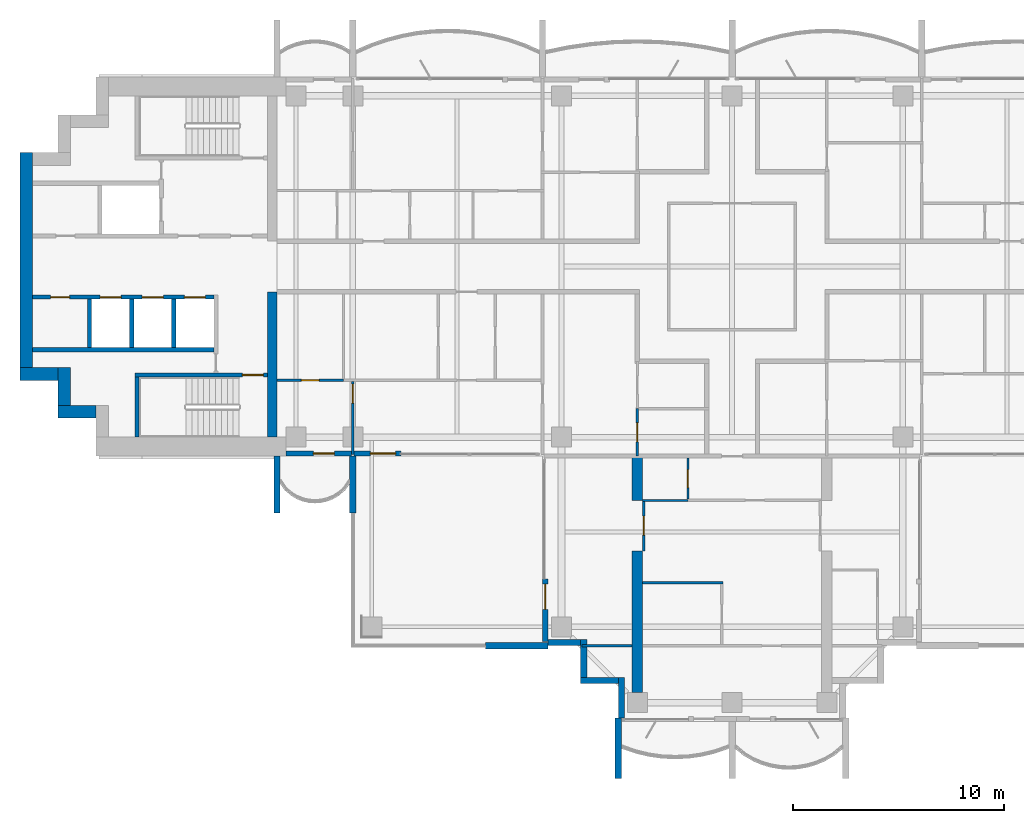
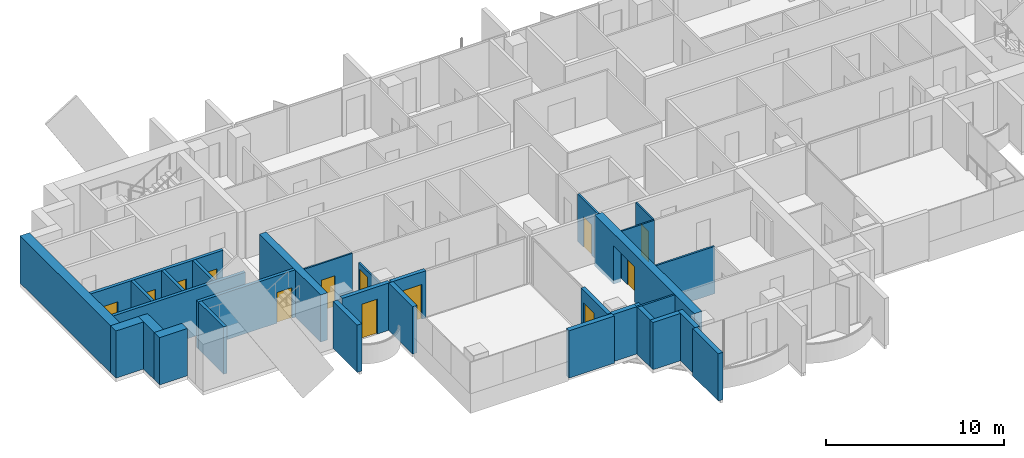
# One storey, part 8 of 17: 32 walls, 13 doors, 13 openings.
"""IFC4 building model written with IfcOpenShell, lengths in metres."""

import ifcopenshell
import ifcopenshell.guid

model = None  # the IFC model being written
_history = None  # IfcOwnerHistory: only IFC2X3 demands one
_inside = {}  # id of a spatial element -> (the spatial element, [elements in it])
_under = {}  # id of a project, library or spatial element -> (it, [spatial elements below it])
_declared = {}  # id of a project -> (the project, [libraries it declares])
_typed = {}  # id of a type object -> (the type object, [elements of that type])
_made_of = {}  # id of a material, layer set ... -> (it, [elements and type objects made of it])


def new_model(schema):
    """Start an empty IFC model of exactly this schema.

    Asked for "IFC4X3", IfcOpenShell would pick the latest addendum, in which some entities
    have other attributes; the version numbers below select the first issue.
    IFC2X3 requires an IfcOwnerHistory on every rooted entity: one is made here for all.
    """
    global model, _history
    if schema == "IFC4X3":
        model = ifcopenshell.file(schema_version=(4, 3, 0, 0))
    else:
        model = ifcopenshell.file(schema=schema)
    _inside.clear()
    _under.clear()
    _declared.clear()
    _typed.clear()
    _made_of.clear()
    _history = None
    if model.schema == "IFC2X3":
        org = make("IfcOrganization", Name="unknown")
        user = make(
            "IfcPersonAndOrganization",
            ThePerson=make("IfcPerson", FamilyName="unknown"),
            TheOrganization=org,
        )
        app = make(
            "IfcApplication",
            ApplicationDeveloper=org,
            Version="unknown",
            ApplicationFullName="unknown",
            ApplicationIdentifier="unknown",
        )
        _history = make(
            "IfcOwnerHistory",
            OwningUser=user,
            OwningApplication=app,
            ChangeAction="ADDED",
            CreationDate=0,
        )
    return model


def make(cls, **values):
    """One entity of the class cls with the attributes given. An attribute that is None is left unset."""
    return model.create_entity(
        cls, **{name: value for name, value in values.items() if value is not None}
    )


def rooted(cls, **values):
    """An entity with a GlobalId (a new one), such as an element, a storey or a relation."""
    return make(cls, GlobalId=ifcopenshell.guid.new(), OwnerHistory=_history, **values)


def si_unit(unit_type, name, prefix=None):
    """IfcSIUnit, for example si_unit("LENGTHUNIT", "METRE", prefix="MILLI")."""
    return make("IfcSIUnit", UnitType=unit_type, Prefix=prefix, Name=name)


def assignment(units):
    """IfcUnitAssignment: the units of a project."""
    return None if units is None else make("IfcUnitAssignment", Units=units)


def point(xyz):
    """IfcCartesianPoint."""
    return None if xyz is None else make("IfcCartesianPoint", Coordinates=xyz)


def direction(xyz):
    """IfcDirection."""
    return None if xyz is None else make("IfcDirection", DirectionRatios=xyz)


def frame(location, z_axis=None, x_axis=None):
    """IfcAxis2Placement3D, a coordinate frame: its origin and axes. An axis left out is left unset."""
    return make(
        "IfcAxis2Placement3D",
        Location=point(location),
        Axis=direction(z_axis),
        RefDirection=direction(x_axis),
    )


def frame_2d(location, x_axis=None):
    """IfcAxis2Placement2D, a coordinate frame in the plane: its origin and x axis."""
    return make(
        "IfcAxis2Placement2D", Location=point(location), RefDirection=direction(x_axis)
    )


def origin():
    """The frame at (0, 0, 0) with its axes left unset."""
    return frame((0.0, 0.0, 0.0))


def place(relative_to, where):
    """IfcLocalPlacement: puts the frame where relative to a parent placement (None: the world)."""
    return make(
        "IfcLocalPlacement", PlacementRelTo=relative_to, RelativePlacement=where
    )


def context(
    kind, dimensions, precision=None, world=None, true_north=None, identifier=None
):
    """IfcGeometricRepresentationContext, for example the 3D "Model" context."""
    return make(
        "IfcGeometricRepresentationContext",
        ContextIdentifier=identifier,
        ContextType=kind,
        CoordinateSpaceDimension=dimensions,
        Precision=precision,
        WorldCoordinateSystem=world,
        TrueNorth=true_north,
    )


def subcontext(parent, identifier, kind, view, scale=None):
    """IfcGeometricRepresentationSubContext, for example "Body" below "Model"."""
    return make(
        "IfcGeometricRepresentationSubContext",
        ContextIdentifier=identifier,
        ContextType=kind,
        ParentContext=parent,
        TargetScale=scale,
        TargetView=view,
    )


def project(units=None, contexts=None):
    """IfcProject with its units and contexts."""
    return rooted(
        "IfcProject",
        Name="project",
        RepresentationContexts=contexts,
        UnitsInContext=assignment(units),
    )


def spatial(cls, under=None, at=None, **own):
    """A site, building, storey or space (cls), placed at a placement, below another one or the project."""
    s = rooted(cls, ObjectPlacement=at, **own)
    if under is not None:
        _under.setdefault(under.id(), (under, []))[1].append(s)
    return s


def polyline(points):
    """IfcPolyline through the points."""
    return make("IfcPolyline", Points=[point(p) for p in points])


def profile(cls, at=None, kind="AREA", **sizes):
    """A parametric profile (cls). Its sizes go by their IFC names, for example OverallWidth=200.0."""
    return make(cls, ProfileType=kind, Position=at, **sizes)


def rectangle(**sizes):
    """IfcRectangleProfileDef."""
    return profile("IfcRectangleProfileDef", **sizes)


def outline(outer, holes=None, kind="AREA"):
    """IfcArbitraryClosedProfileDef: a profile drawn as a closed curve; with holes, ...WithVoids."""
    if holes is None:
        return make("IfcArbitraryClosedProfileDef", ProfileType=kind, OuterCurve=outer)
    return make(
        "IfcArbitraryProfileDefWithVoids",
        ProfileType=kind,
        OuterCurve=outer,
        InnerCurves=holes,
    )


def extrude(swept, where, along, depth):
    """IfcExtrudedAreaSolid: the profile swept, set in the frame where, extruded along a direction by depth."""
    return make(
        "IfcExtrudedAreaSolid",
        SweptArea=swept,
        Position=where,
        ExtrudedDirection=direction(along),
        Depth=depth,
    )


def shape(context_of_items, identifier, shape_type, items):
    """IfcShapeRepresentation: the items that make up one representation, for example the "Body"."""
    return make(
        "IfcShapeRepresentation",
        ContextOfItems=context_of_items,
        RepresentationIdentifier=identifier,
        RepresentationType=shape_type,
        Items=items,
    )


def material(Name=None, Category=None):
    """IfcMaterial."""
    return make("IfcMaterial", Name=Name, Category=Category)


def layer(
    of_material, thickness, ventilated=None, Name=None, Category=None, Priority=None
):
    """IfcMaterialLayer: one layer of a wall or slab, of a material (None: an air gap)."""
    return make(
        "IfcMaterialLayer",
        Material=of_material,
        LayerThickness=thickness,
        IsVentilated=ventilated,
        Name=Name,
        Category=Category,
        Priority=Priority,
    )


def layer_set(layers, Name=None):
    """IfcMaterialLayerSet."""
    return make("IfcMaterialLayerSet", MaterialLayers=layers, LayerSetName=Name)


def material_profile(
    of_material, cross_section, Name=None, Category=None, Priority=None
):
    """IfcMaterialProfile: a cross section and its material."""
    return make(
        "IfcMaterialProfile",
        Name=Name,
        Material=of_material,
        Profile=cross_section,
        Priority=Priority,
        Category=Category,
    )


def profile_set(profiles, Name=None, composite=None):
    """IfcMaterialProfileSet."""
    return make(
        "IfcMaterialProfileSet",
        Name=Name,
        MaterialProfiles=profiles,
        CompositeProfile=composite,
    )


def made_of(thing, what):
    """Note that an element or type object is made of a material, layer set ...; save() writes the relation."""
    if what is not None:
        _made_of.setdefault(what.id(), (what, []))[1].append(thing)
    return thing


def type_object(cls, material=None, **own):
    """A type object (cls), such as IfcWallType, which elements share."""
    return made_of(rooted(cls, **own), material)


def element(
    cls,
    number,
    at=None,
    inside=None,
    cuts=None,
    type_object=None,
    material=None,
    context=None,
    identifier="Body",
    shape_type=None,
    held_by="IfcProductDefinitionShape",
    body=None,
    shapes=None,
    **own,
):
    """One element of the class cls, such as IfcWall. Its Tag is "e" and its number.

    at: its placement. inside: the storey or other place that contains it. cuts: it is an
    opening in that element (IfcRelVoidsElement). A single representation is given by context,
    identifier, shape_type and body (its items); several are given by shapes. held_by: the class
    of the entity that holds the representations. save() writes the other relations.
    """
    e = rooted(cls, Tag="e%d" % number, ObjectPlacement=at, **own)
    if body is not None:
        shapes = [shape(context, identifier, shape_type, body)]
    if shapes is not None:
        e.Representation = make(held_by, Representations=shapes)
    if inside is not None:
        _inside.setdefault(inside.id(), (inside, []))[1].append(e)
    if cuts is not None:
        rooted(
            "IfcRelVoidsElement", RelatingBuildingElement=cuts, RelatedOpeningElement=e
        )
    if type_object is not None:
        _typed.setdefault(type_object.id(), (type_object, []))[1].append(e)
    return made_of(e, material)


def fill(opening, filler):
    """IfcRelFillsElement: the door or window that sits in an opening."""
    return rooted(
        "IfcRelFillsElement",
        RelatingOpeningElement=opening,
        RelatedBuildingElement=filler,
    )


def aggregate(whole, parts):
    """IfcRelAggregates: a whole, such as a stair, and the parts it consists of."""
    return rooted("IfcRelAggregates", RelatingObject=whole, RelatedObjects=parts)


def save(model, path):
    """Write the relations noted so far, then the file.

    IfcRelAggregates (storeys below a building ...), IfcRelContainedInSpatialStructure (elements
    in a storey), IfcRelDefinesByType, IfcRelAssociatesMaterial and IfcRelDeclares: one each for
    every whole, place, type object, material and project.
    """
    for whole, parts in _under.values():
        aggregate(whole, parts)
    for where, things in _inside.values():
        rooted(
            "IfcRelContainedInSpatialStructure",
            RelatedElements=things,
            RelatingStructure=where,
        )
    for kind, things in _typed.values():
        rooted("IfcRelDefinesByType", RelatedObjects=things, RelatingType=kind)
    for what, things in _made_of.values():
        rooted("IfcRelAssociatesMaterial", RelatedObjects=things, RelatingMaterial=what)
    for by, libraries in _declared.values():
        rooted("IfcRelDeclares", RelatingContext=by, RelatedDefinitions=libraries)
    model.write(path)


model = new_model("IFC4")

# Units and contexts
model_context = context("Model", 3, precision=1e-05, world=origin(), true_north=direction((0.0, 1.0)))
body_context = subcontext(model_context, "Body", "Model", "MODEL_VIEW")
ifc_project = project(units=[si_unit("LENGTHUNIT", "METRE"), si_unit("AREAUNIT", "SQUARE_METRE"), si_unit("VOLUMEUNIT", "CUBIC_METRE"), si_unit("PLANEANGLEUNIT", "RADIAN"), si_unit("MASSUNIT", "GRAM", prefix="KILO")], contexts=[model_context])

# Site, building, storey
site_placement = place(None, origin())
site = spatial("IfcSite", under=ifc_project, at=site_placement, CompositionType="ELEMENT")
building_placement = place(site_placement, origin())
building = spatial("IfcBuilding", under=site, at=building_placement, Name="Perihelion Cross Residences", CompositionType="ELEMENT")
storey_placement = place(building_placement, frame((0.0, 0.0, 208.60009765625)))
storey = spatial("IfcBuildingStorey", under=building, at=storey_placement, Name="L52", CompositionType="ELEMENT", Elevation=208.60009765625)

# Wall, opening, door
ifc_material_1 = material(Name="Concrete C30/37, bronze-clad", Category="concrete")
ifc_layer_1 = layer(ifc_material_1, 0.25)
ifc_layer_set_1 = layer_set([ifc_layer_1], Name="Bronze-clad pier wall 250")
wall_type_1 = type_object("IfcWallType", Name="Bronze-clad pier wall 250", PredefinedType="SOLIDWALL", material=ifc_layer_set_1)
wall_1_placement = place(storey_placement, frame((-21.175048828125, -8.875, 0.0), z_axis=(0.0, 0.0, 1.0), x_axis=(1.0, 0.0, 0.0)))
wall_1 = element("IfcWall", 1, at=wall_1_placement, inside=storey, type_object=wall_type_1, Name="Wall FW1 L52 west side south bay 1 pier", PredefinedType="SOLIDWALL", context=body_context, shape_type="SweptSolid", body=[
    extrude(rectangle(XDim=3.114990234375, YDim=0.25, at=frame_2d((1.5576171875, 0.0))), origin(), (0.0, 0.0, 1.0), 3.25),
])
opening_1_placement = place(wall_1_placement, frame((1.300048828125, 0.0, 0.0)))
opening_1 = element("IfcOpeningElement", 2, at=opening_1_placement, cuts=wall_1, Name="Opening L52.E07", PredefinedType="OPENING", context=body_context, shape_type="SweptSolid", body=[
    extrude(rectangle(XDim=1.0, YDim=2.39990234375, at=frame_2d((0.5, 1.199951171875))), frame((0.0, 0.135009765625, 0.0), z_axis=(0.0, -1.0, 0.0), x_axis=(1.0, 0.0, 0.0)), (0.0, 0.0, 1.0), 0.27001953125),
])
ifc_material_2 = material(Name="Bronze anodised aluminium, glazed", Category="aluminium")
door_type_1 = type_object("IfcDoorType", Name="Balcony door 1000 x 2400", OperationType="NOTDEFINED", PredefinedType="DOOR", material=ifc_material_2)
door_1_placement = place(opening_1_placement, origin())
door_1 = element("IfcDoor", 3, at=door_1_placement, inside=storey, type_object=door_type_1, Name="Door L52.E07 west side south bay 1", OperationType="SINGLE_SWING_LEFT", OverallHeight=2.39990234375, OverallWidth=1.0, PredefinedType="DOOR", context=body_context, shape_type="SweptSolid", body=[
    extrude(rectangle(XDim=1.0, YDim=2.39990234375, at=frame_2d((0.5, 1.199951171875))), frame((0.0, 0.02490234375, 0.0), z_axis=(0.0, -1.0, 0.0), x_axis=(1.0, 0.0, 0.0)), (0.0, 0.0, 1.0), 0.050048828125),
])
fill(opening_1, door_1)

wall_2_placement = place(storey_placement, frame((-17.93994140625, -8.875, 0.0), z_axis=(0.0, 0.0, 1.0), x_axis=(1.0, 0.0, 0.0)))
wall_2 = element("IfcWall", 4, at=wall_2_placement, inside=storey, type_object=wall_type_1, Name="Wall FW1 L52 west side south bay 2 pier", PredefinedType="SOLIDWALL", context=body_context, shape_type="SweptSolid", body=[
    extrude(rectangle(XDim=2.21484375, YDim=0.25, at=frame_2d((1.107421875, 0.0))), origin(), (0.0, 0.0, 1.0), 3.25),
])
opening_2_placement = place(wall_2_placement, frame((0.764892578125, 0.0, 0.0)))
opening_2 = element("IfcOpeningElement", 5, at=opening_2_placement, cuts=wall_2, Name="Opening L52.E08", PredefinedType="OPENING", context=body_context, shape_type="SweptSolid", body=[
    extrude(rectangle(XDim=1.199951171875, YDim=2.39990234375, at=frame_2d((0.60009765625, 1.199951171875))), frame((0.0, 0.135009765625, 0.0), z_axis=(0.0, -1.0, 0.0), x_axis=(1.0, 0.0, 0.0)), (0.0, 0.0, 1.0), 0.27001953125),
])
ifc_material_3 = material(Name="Bronze anodised aluminium, glazed", Category="aluminium")
door_type_2 = type_object("IfcDoorType", Name="Balcony door 1200 x 2400", OperationType="NOTDEFINED", PredefinedType="DOOR", material=ifc_material_3)
door_2_placement = place(opening_2_placement, origin())
door_2 = element("IfcDoor", 6, at=door_2_placement, inside=storey, type_object=door_type_2, Name="Door L52.E08 west side south bay 2", OperationType="SINGLE_SWING_RIGHT", OverallHeight=2.39990234375, OverallWidth=1.199951171875, PredefinedType="DOOR", context=body_context, shape_type="SweptSolid", body=[
    extrude(rectangle(XDim=1.199951171875, YDim=2.39990234375, at=frame_2d((0.60009765625, 1.199951171875))), frame((0.0, 0.02490234375, 0.0), z_axis=(0.0, -1.0, 0.0), x_axis=(1.0, 0.0, 0.0)), (0.0, 0.0, 1.0), 0.050048828125),
])
fill(opening_2, door_2)

wall_3_placement = place(storey_placement, frame((-8.875, -14.824951171875, 0.0), z_axis=(0.0, 0.0, 1.0), x_axis=(0.0, -1.0, 0.0)))
wall_3 = element("IfcWall", 7, at=wall_3_placement, inside=storey, type_object=wall_type_1, Name="Wall FW1 L52 south side west bay 1 pier", PredefinedType="SOLIDWALL", context=body_context, shape_type="SweptSolid", body=[
    extrude(rectangle(XDim=2.97509765625, YDim=0.25, at=frame_2d((1.487548828125, 0.0))), origin(), (0.0, 0.0, 1.0), 3.25),
])
opening_3_placement = place(wall_3_placement, frame((0.25, 0.0, 0.0)))
opening_3 = element("IfcOpeningElement", 8, at=opening_3_placement, cuts=wall_3, Name="Opening L52.E09", PredefinedType="OPENING", context=body_context, shape_type="SweptSolid", body=[
    extrude(rectangle(XDim=1.199951171875, YDim=2.39990234375, at=frame_2d((0.60009765625, 1.199951171875))), frame((0.0, 0.135009765625, 0.0), z_axis=(0.0, -1.0, 0.0), x_axis=(1.0, 0.0, 0.0)), (0.0, 0.0, 1.0), 0.27001953125),
])
door_3_placement = place(opening_3_placement, origin())
door_3 = element("IfcDoor", 9, at=door_3_placement, inside=storey, type_object=door_type_2, Name="Door L52.E09 south side west bay 1", OperationType="SINGLE_SWING_LEFT", OverallHeight=2.39990234375, OverallWidth=1.199951171875, PredefinedType="DOOR", context=body_context, shape_type="SweptSolid", body=[
    extrude(rectangle(XDim=1.199951171875, YDim=2.39990234375, at=frame_2d((0.60009765625, 1.199951171875))), frame((0.0, 0.02490234375, 0.0), z_axis=(0.0, -1.0, 0.0), x_axis=(1.0, 0.0, 0.0)), (0.0, 0.0, 1.0), 0.050048828125),
])
fill(opening_3, door_3)

# Walls
ifc_material_4 = material(Name="Concrete C30/37, bronze-clad", Category="concrete")
ifc_layer_2 = layer(ifc_material_4, 0.300048828125)
ifc_layer_set_2 = layer_set([ifc_layer_2], Name="Bronze-clad serration wall 300")
wall_type_2 = type_object("IfcWallType", Name="Bronze-clad serration wall 300", PredefinedType="SOLIDWALL", material=ifc_layer_set_2)
wall_4_placement = place(storey_placement, frame((-8.75, -17.85009765625, 0.0), z_axis=(0.0, 0.0, 1.0), x_axis=(1.0, 0.0, 0.0)))
element("IfcWall", 10, at=wall_4_placement, inside=storey, type_object=wall_type_2, Name="Wall SR1 L52 south corner south-west 1", PredefinedType="SOLIDWALL", context=body_context, shape_type="SweptSolid", body=[
    extrude(rectangle(XDim=1.550048828125, YDim=0.300048828125, at=frame_2d((0.77490234375, 0.0))), origin(), (0.0, 0.0, 1.0), 3.25),
])
for number, where, z_axis, x_axis, name in (
    (11, (-7.050048828125, -17.699951171875, 0.0), (0.0, 0.0, 1.0), (0.0, -1.0, 0.0), "Wall SR1 L52 south corner south-west 2"),
    (12, (-7.199951171875, -19.64990234375, 0.0), (0.0, 0.0, 1.0), (1.0, 0.0, 0.0), "Wall SR1 L52 south corner south-west 3"),
):
    element("IfcWall", number, at=place(storey_placement, frame(where, z_axis=z_axis, x_axis=x_axis)), inside=storey, type_object=wall_type_2, Name=name, PredefinedType="SOLIDWALL", context=body_context, shape_type="SweptSolid", body=[
        extrude(rectangle(XDim=1.800048828125, YDim=0.300048828125, at=frame_2d((0.89990234375, 0.0))), origin(), (0.0, 0.0, 1.0), 3.25),
    ])
wall_5_placement = place(storey_placement, frame((-5.25, -19.5, 0.0), z_axis=(0.0, 0.0, 1.0), x_axis=(0.0, -1.0, 0.0)))
element("IfcWall", 13, at=wall_5_placement, inside=storey, type_object=wall_type_2, Name="Wall SR1 L52 south corner south-west 4", PredefinedType="SOLIDWALL", context=body_context, shape_type="SweptSolid", body=[
    extrude(rectangle(XDim=1.919921875, YDim=0.300048828125, at=frame_2d((0.9599609375, 0.0))), origin(), (0.0, 0.0, 1.0), 3.25),
])
ifc_material_5 = material(Name="Concrete C60/75", Category="concrete")
ifc_layer_3 = layer(ifc_material_5, 0.449951171875)
ifc_layer_set_3 = layer_set([ifc_layer_3], Name="Core wall, inner 450")
wall_type_3 = type_object("IfcWallType", Name="Core wall, inner 450", PredefinedType="SHEAR", material=ifc_layer_set_3)
wall_6_placement = place(storey_placement, frame((-21.824951171875, -8.10009765625, 0.0), z_axis=(0.0, 0.0, 1.0), x_axis=(0.0, 1.0, 0.0)))
element("IfcWall", 14, at=wall_6_placement, inside=storey, type_object=wall_type_3, Name="West core core wall, inner", PredefinedType="SHEAR", context=body_context, shape_type="SweptSolid", body=[
    extrude(rectangle(XDim=6.900146484375, YDim=0.449951171875, at=frame_2d((3.4501953125, 0.0))), origin(), (0.0, 0.0, 1.0), 3.25),
])
ifc_material_6 = material(Name="Concrete C60/75", Category="concrete")
ifc_layer_4 = layer(ifc_material_6, 0.60009765625)
ifc_layer_set_4 = layer_set([ifc_layer_4], Name="Core wall, outer 600")
wall_type_4 = type_object("IfcWallType", Name="Core wall, outer 600", PredefinedType="SHEAR", material=ifc_layer_set_4)
for number, where, z_axis, x_axis, name in (
    (15, (-32.0, -6.89990234375, 0.0), (0.0, 0.0, 1.0), (1.0, 0.0, 0.0), "West core core wall, outer"),
    (16, (-31.699951171875, -6.60009765625, 0.0), (0.0, 0.0, 1.0), (0.0, 1.0, 0.0), "West core core wall, outer"),
    (17, (-33.800048828125, -5.10009765625, 0.0), (0.0, 0.0, 1.0), (1.0, 0.0, 0.0), "West core core wall, outer"),
):
    element("IfcWall", number, at=place(storey_placement, frame(where, z_axis=z_axis, x_axis=x_axis)), inside=storey, type_object=wall_type_4, Name=name, PredefinedType="SHEAR", context=body_context, shape_type="SweptSolid", body=[
        extrude(rectangle(XDim=1.800048828125, YDim=0.60009765625, at=frame_2d((0.89990234375, 0.0))), origin(), (0.0, 0.0, 1.0), 3.25),
    ])
wall_7_placement = place(storey_placement, frame((-33.5, -4.800048828125, 0.0), z_axis=(0.0, 0.0, 1.0), x_axis=(0.0, 1.0, 0.0)))
element("IfcWall", 18, at=wall_7_placement, inside=storey, type_object=wall_type_4, Name="West core core wall, outer", PredefinedType="SHEAR", context=body_context, shape_type="SweptSolid", body=[
    extrude(rectangle(XDim=10.199951171875, YDim=0.60009765625, at=frame_2d((5.10009765625, 0.0))), origin(), (0.0, 0.0, 1.0), 3.25),
])

# Wall, opening, door
ifc_material_7 = material(Name="Plasterboard partition")
ifc_layer_5 = layer(ifc_material_7, 0.1201171875)
ifc_layer_set_5 = layer_set([ifc_layer_5], Name="Infill panel 120")
wall_type_5 = type_object("IfcWallType", Name="Infill panel 120", PredefinedType="PARTITIONING", material=ifc_layer_set_5)
wall_8_placement = place(storey_placement, frame((-4.18994140625, -11.10009765625, 0.0), z_axis=(0.0, 0.0, 1.0), x_axis=(0.0, -1.0, 0.0)))
wall_8 = element("IfcWall", 19, at=wall_8_placement, inside=storey, type_object=wall_type_5, Name="Partition L52 WI02", PredefinedType="PARTITIONING", context=body_context, shape_type="SweptSolid", body=[
    extrude(rectangle(XDim=2.39990234375, YDim=0.1201171875, at=frame_2d((1.199951171875, 0.0))), origin(), (0.0, 0.0, 1.0), 2.39990234375),
])
opening_4_placement = place(wall_8_placement, frame((0.75, 0.0, 0.0)))
opening_4 = element("IfcOpeningElement", 20, at=opening_4_placement, cuts=wall_8, Name="Opening L52.A46", PredefinedType="OPENING", context=body_context, shape_type="SweptSolid", body=[
    extrude(rectangle(XDim=0.89990234375, YDim=2.10009765625, at=frame_2d((0.449951171875, 1.050048828125))), frame((0.0, 0.070068359375, 0.0), z_axis=(0.0, -1.0, 0.0), x_axis=(1.0, 0.0, 0.0)), (0.0, 0.0, 1.0), 0.14013671875),
])
ifc_material_8 = material(Name="Timber door leaf", Category="wood")
door_type_3 = type_object("IfcDoorType", Name="Interior room door 900 x 2100", OperationType="SINGLE_SWING_LEFT", PredefinedType="DOOR", material=ifc_material_8)
door_4_placement = place(opening_4_placement, origin())
door_4 = element("IfcDoor", 21, at=door_4_placement, inside=storey, type_object=door_type_3, Name="Door L52.A46", OperationType="SINGLE_SWING_RIGHT", OverallHeight=2.10009765625, OverallWidth=0.89990234375, PredefinedType="DOOR", context=body_context, shape_type="SweptSolid", body=[
    extrude(rectangle(XDim=0.89990234375, YDim=2.10009765625, at=frame_2d((0.449951171875, 1.050048828125))), frame((0.0, 0.02490234375, 0.0), z_axis=(0.0, -1.0, 0.0), x_axis=(1.0, 0.0, 0.0)), (0.0, 0.0, 1.0), 0.050048828125),
])
fill(opening_4, door_4)

ifc_material_9 = material(Name="Plasterboard partition")
ifc_layer_6 = layer(ifc_material_9, 0.1201171875)
ifc_layer_set_6 = layer_set([ifc_layer_6], Name="Partition wall 120")
wall_type_6 = type_object("IfcWallType", Name="Partition wall 120", PredefinedType="PARTITIONING", material=ifc_layer_set_6)
wall_9_placement = place(storey_placement, frame((-18.0, -8.919921875, 0.0), z_axis=(0.0, 0.0, 1.0), x_axis=(0.0, 1.0, 0.0)))
wall_9 = element("IfcWall", 22, at=wall_9_placement, inside=storey, type_object=wall_type_6, Name="Partition L52 W059", PredefinedType="PARTITIONING", context=body_context, shape_type="SweptSolid", body=[
    extrude(rectangle(XDim=3.4599609375, YDim=0.1201171875, at=frame_2d((1.72998046875, 0.0))), origin(), (0.0, 0.0, 1.0), 2.47998046875),
])
opening_5_placement = place(wall_9_placement, frame((2.43994140625, 0.0, 0.0)))
opening_5 = element("IfcOpeningElement", 23, at=opening_5_placement, cuts=wall_9, Name="Opening L52.A31", PredefinedType="OPENING", context=body_context, shape_type="SweptSolid", body=[
    extrude(rectangle(XDim=0.89990234375, YDim=2.10009765625, at=frame_2d((0.449951171875, 1.050048828125))), frame((0.0, 0.070068359375, 0.0), z_axis=(0.0, -1.0, 0.0), x_axis=(1.0, 0.0, 0.0)), (0.0, 0.0, 1.0), 0.14013671875),
])
door_5_placement = place(opening_5_placement, origin())
door_5 = element("IfcDoor", 24, at=door_5_placement, inside=storey, type_object=door_type_3, Name="Door L52.A31", OperationType="SINGLE_SWING_RIGHT", OverallHeight=2.10009765625, OverallWidth=0.89990234375, PredefinedType="DOOR", context=body_context, shape_type="SweptSolid", body=[
    extrude(rectangle(XDim=0.89990234375, YDim=2.10009765625, at=frame_2d((0.449951171875, 1.050048828125))), frame((0.0, 0.02490234375, 0.0), z_axis=(0.0, -1.0, 0.0), x_axis=(1.0, 0.0, 0.0)), (0.0, 0.0, 1.0), 0.050048828125),
])
fill(opening_5, door_5)

wall_10_placement = place(storey_placement, frame((-4.5, -6.75, 0.0), z_axis=(0.0, 0.0, 1.0), x_axis=(0.0, -1.0, 0.0)))
wall_10 = element("IfcWall", 25, at=wall_10_placement, inside=storey, type_object=wall_type_6, Name="Partition L52 W061", PredefinedType="PARTITIONING", context=body_context, shape_type="SweptSolid", body=[
    extrude(rectangle(XDim=2.25, YDim=0.1201171875, at=frame_2d((1.125, 0.0))), origin(), (0.0, 0.0, 1.0), 3.25),
])
opening_6_placement = place(wall_10_placement, frame((0.675048828125, 0.0, 0.0)))
opening_6 = element("IfcOpeningElement", 26, at=opening_6_placement, cuts=wall_10, Name="Opening L52.A28", PredefinedType="OPENING", context=body_context, shape_type="SweptSolid", body=[
    extrude(rectangle(XDim=0.89990234375, YDim=2.10009765625, at=frame_2d((0.449951171875, 1.050048828125))), frame((0.0, 0.070068359375, 0.0), z_axis=(0.0, -1.0, 0.0), x_axis=(1.0, 0.0, 0.0)), (0.0, 0.0, 1.0), 0.14013671875),
])
door_6_placement = place(opening_6_placement, origin())
door_6 = element("IfcDoor", 27, at=door_6_placement, inside=storey, type_object=door_type_3, Name="Door L52.A28", OperationType="SINGLE_SWING_RIGHT", OverallHeight=2.10009765625, OverallWidth=0.89990234375, PredefinedType="DOOR", context=body_context, shape_type="SweptSolid", body=[
    extrude(rectangle(XDim=0.89990234375, YDim=2.10009765625, at=frame_2d((0.449951171875, 1.050048828125))), frame((0.0, 0.02490234375, 0.0), z_axis=(0.0, -1.0, 0.0), x_axis=(1.0, 0.0, 0.0)), (0.0, 0.0, 1.0), 0.050048828125),
])
fill(opening_6, door_6)

# Walls
wall_11_placement = place(storey_placement, frame((-0.43994140625, -15.0, 0.0), z_axis=(0.0, 0.0, 1.0), x_axis=(-1.0, 0.0, 0.0)))
element("IfcWall", 28, at=wall_11_placement, inside=storey, type_object=wall_type_6, Name="Partition L52 W067", PredefinedType="PARTITIONING", context=body_context, shape_type="SweptSolid", body=[
    extrude(rectangle(XDim=3.81005859375, YDim=0.1201171875, at=frame_2d((1.905029296875, 0.0))), origin(), (0.0, 0.0, 1.0), 3.25),
])
wall_12_placement = place(storey_placement, frame((-4.75, -18.0, 0.0), z_axis=(0.0, 0.0, 1.0), x_axis=(-1.0, 0.0, 0.0)))
element("IfcWall", 29, at=wall_12_placement, inside=storey, type_object=wall_type_6, Name="Partition L52 W072", PredefinedType="PARTITIONING", context=body_context, shape_type="SweptSolid", body=[
    extrude(rectangle(XDim=2.3701171875, YDim=0.1201171875, at=frame_2d((1.18505859375, 0.0))), origin(), (0.0, 0.0, 1.0), 3.25),
])
ifc_material_10 = material(Name="Precast concrete C50/60", Category="concrete")
ifc_layer_7 = layer(ifc_material_10, 0.300048828125)
ifc_layer_set_7 = layer_set([ifc_layer_7], Name="Precast concrete C50/60 blade wall 300")
wall_type_7 = type_object("IfcWallType", Name="Precast concrete C50/60 blade wall 300", PredefinedType="SOLIDWALL", material=ifc_layer_set_7)
for number, where, z_axis, x_axis, name in (
    (30, (-21.60009765625, -9.0, 0.0), (0.0, 0.0, 1.0), (0.0, -1.0, 0.0), "Wall BL1 L52 no. 3"),
    (31, (-18.0, -9.0, 0.0), (0.0, 0.0, 1.0), (0.0, -1.0, 0.0), "Wall BL1 L52 no. 1"),
):
    element("IfcWall", number, at=place(storey_placement, frame(where, z_axis=z_axis, x_axis=x_axis)), inside=storey, type_object=wall_type_7, Name=name, PredefinedType="SOLIDWALL", context=body_context, shape_type="SweptSolid", body=[
        extrude(rectangle(XDim=2.699951171875, YDim=0.300048828125, at=frame_2d((1.35009765625, 0.0))), origin(), (0.0, 0.0, 1.0), 3.25),
    ])
wall_13_placement = place(storey_placement, frame((-8.75, -18.0, 0.0), z_axis=(0.0, 0.0, 1.0), x_axis=(-1.0, 0.0, 0.0)))
element("IfcWall", 32, at=wall_13_placement, inside=storey, type_object=wall_type_7, Name="Wall BL1 L52 no. 6", PredefinedType="SOLIDWALL", context=body_context, shape_type="SweptSolid", body=[
    extrude(rectangle(XDim=2.949951171875, YDim=0.300048828125, at=frame_2d((1.47509765625, 0.0))), origin(), (0.0, 0.0, 1.0), 3.25),
])
wall_14_placement = place(storey_placement, frame((-5.39990234375, -21.419921875, 0.0), z_axis=(0.0, 0.0, 1.0), x_axis=(0.0, -1.0, 0.0)))
element("IfcWall", 33, at=wall_14_placement, inside=storey, type_object=wall_type_7, Name="Wall BL1 L52 no. 5", PredefinedType="SOLIDWALL", context=body_context, shape_type="SweptSolid", body=[
    extrude(rectangle(XDim=2.880126953125, YDim=0.300048828125, at=frame_2d((1.43994140625, 0.0))), origin(), (0.0, 0.0, 1.0), 3.25),
])

# Wall, openings, doors
ifc_material_11 = material(Name="Concrete C50/60", Category="concrete")
ifc_layer_8 = layer(ifc_material_11, 0.199951171875)
ifc_layer_set_8 = layer_set([ifc_layer_8], Name="Shaft wall 200")
wall_type_8 = type_object("IfcWallType", Name="Shaft wall 200", PredefinedType="SOLIDWALL", material=ifc_layer_set_8)
wall_15_placement = place(storey_placement, frame((-33.199951171875, -1.449951171875, 0.0), z_axis=(0.0, 0.0, 1.0), x_axis=(1.0, 0.0, 0.0)))
wall_15 = element("IfcWall", 34, at=wall_15_placement, inside=storey, type_object=wall_type_8, Name="West core shaft wall", PredefinedType="SOLIDWALL", context=body_context, shape_type="SweptSolid", body=[
    extrude(rectangle(XDim=8.599853515625, YDim=0.199951171875, at=frame_2d((4.2998046875, 0.0))), origin(), (0.0, 0.0, 1.0), 3.25),
])
opening_7_placement = place(wall_15_placement, frame((7.199951171875, 0.0, 0.0)))
opening_7 = element("IfcOpeningElement", 35, at=opening_7_placement, cuts=wall_15, Name="Opening L52.C13", PredefinedType="OPENING", context=body_context, shape_type="SweptSolid", body=[
    extrude(rectangle(XDim=1.0, YDim=2.10009765625, at=frame_2d((0.5, 1.050048828125))), frame((0.0, 0.10986328125, 0.0), z_axis=(0.0, -1.0, 0.0), x_axis=(1.0, 0.0, 0.0)), (0.0, 0.0, 1.0), 0.219970703125),
])
opening_8_placement = place(wall_15_placement, frame((5.199951171875, 0.0, 0.0)))
opening_8 = element("IfcOpeningElement", 36, at=opening_8_placement, cuts=wall_15, Name="Opening L52.C15", PredefinedType="OPENING", context=body_context, shape_type="SweptSolid", body=[
    extrude(rectangle(XDim=1.0, YDim=2.10009765625, at=frame_2d((0.5, 1.050048828125))), frame((0.0, 0.10986328125, 0.0), z_axis=(0.0, -1.0, 0.0), x_axis=(1.0, 0.0, 0.0)), (0.0, 0.0, 1.0), 0.219970703125),
])
opening_9_placement = place(wall_15_placement, frame((3.199951171875, 0.0, 0.0)))
opening_9 = element("IfcOpeningElement", 37, at=opening_9_placement, cuts=wall_15, Name="Opening L52.C16", PredefinedType="OPENING", context=body_context, shape_type="SweptSolid", body=[
    extrude(rectangle(XDim=1.0, YDim=2.10009765625, at=frame_2d((0.5, 1.050048828125))), frame((0.0, 0.10986328125, 0.0), z_axis=(0.0, -1.0, 0.0), x_axis=(1.0, 0.0, 0.0)), (0.0, 0.0, 1.0), 0.219970703125),
])
opening_10_placement = place(wall_15_placement, frame((0.85009765625, 0.0, 0.0)))
opening_10 = element("IfcOpeningElement", 38, at=opening_10_placement, cuts=wall_15, Name="Opening L52.C24", PredefinedType="OPENING", context=body_context, shape_type="SweptSolid", body=[
    extrude(rectangle(XDim=0.89990234375, YDim=2.10009765625, at=frame_2d((0.449951171875, 1.050048828125))), frame((0.0, 0.10986328125, 0.0), z_axis=(0.0, -1.0, 0.0), x_axis=(1.0, 0.0, 0.0)), (0.0, 0.0, 1.0), 0.219970703125),
])
ifc_material_12 = material(Name="Stainless steel", Category="steel")
door_type_4 = type_object("IfcDoorType", Name="Landing door 1000", OperationType="DOUBLE_DOOR_SLIDING", PredefinedType="DOOR", material=ifc_material_12)
door_7_placement = place(opening_7_placement, origin())
door_7 = element("IfcDoor", 39, at=door_7_placement, inside=storey, type_object=door_type_4, Name="Landing door, West core high-rise lift 1", OperationType="DOUBLE_DOOR_SLIDING", OverallHeight=2.10009765625, OverallWidth=1.0, PredefinedType="DOOR", context=body_context, shape_type="SweptSolid", body=[
    extrude(rectangle(XDim=1.0, YDim=2.10009765625, at=frame_2d((0.5, 1.050048828125))), frame((0.0, 0.02490234375, 0.0), z_axis=(0.0, -1.0, 0.0), x_axis=(1.0, 0.0, 0.0)), (0.0, 0.0, 1.0), 0.050048828125),
])
fill(opening_7, door_7)
door_8_placement = place(opening_8_placement, origin())
door_8 = element("IfcDoor", 40, at=door_8_placement, inside=storey, type_object=door_type_4, Name="Landing door, West core high-rise lift 2", OperationType="DOUBLE_DOOR_SLIDING", OverallHeight=2.10009765625, OverallWidth=1.0, PredefinedType="DOOR", context=body_context, shape_type="SweptSolid", body=[
    extrude(rectangle(XDim=1.0, YDim=2.10009765625, at=frame_2d((0.5, 1.050048828125))), frame((0.0, 0.02490234375, 0.0), z_axis=(0.0, -1.0, 0.0), x_axis=(1.0, 0.0, 0.0)), (0.0, 0.0, 1.0), 0.050048828125),
])
fill(opening_8, door_8)
door_9_placement = place(opening_9_placement, origin())
door_9 = element("IfcDoor", 41, at=door_9_placement, inside=storey, type_object=door_type_4, Name="Landing door, West core high-rise lift 3", OperationType="DOUBLE_DOOR_SLIDING", OverallHeight=2.10009765625, OverallWidth=1.0, PredefinedType="DOOR", context=body_context, shape_type="SweptSolid", body=[
    extrude(rectangle(XDim=1.0, YDim=2.10009765625, at=frame_2d((0.5, 1.050048828125))), frame((0.0, 0.02490234375, 0.0), z_axis=(0.0, -1.0, 0.0), x_axis=(1.0, 0.0, 0.0)), (0.0, 0.0, 1.0), 0.050048828125),
])
fill(opening_9, door_9)
ifc_material_13 = material(Name="Steel, powder coated", Category="steel")
door_type_5 = type_object("IfcDoorType", Name="Service room door 900", OperationType="SINGLE_SWING_LEFT", PredefinedType="DOOR", material=ifc_material_13)
door_10_placement = place(opening_10_placement, origin())
door_10 = element("IfcDoor", 42, at=door_10_placement, inside=storey, type_object=door_type_5, Name="West core service room door", OperationType="SINGLE_SWING_LEFT", OverallHeight=2.10009765625, OverallWidth=0.89990234375, PredefinedType="DOOR", context=body_context, shape_type="SweptSolid", body=[
    extrude(rectangle(XDim=0.89990234375, YDim=2.10009765625, at=frame_2d((0.449951171875, 1.050048828125))), frame((0.0, 0.02490234375, 0.0), z_axis=(0.0, -1.0, 0.0), x_axis=(1.0, 0.0, 0.0)), (0.0, 0.0, 1.0), 0.050048828125),
])
fill(opening_10, door_10)

# Walls
wall_16_placement = place(storey_placement, frame((-33.199951171875, -3.949951171875, 0.0), z_axis=(0.0, 0.0, 1.0), x_axis=(1.0, 0.0, 0.0)))
element("IfcWall", 43, at=wall_16_placement, inside=storey, type_object=wall_type_8, Name="West core shaft wall", PredefinedType="SOLIDWALL", context=body_context, shape_type="SweptSolid", body=[
    extrude(rectangle(XDim=8.599853515625, YDim=0.199951171875, at=frame_2d((4.2998046875, 0.0))), origin(), (0.0, 0.0, 1.0), 3.25),
])
for number, where, z_axis, x_axis, name in (
    (44, (-26.5, -3.85009765625, 0.0), (0.0, 0.0, 1.0), (0.0, 1.0, 0.0), "West core shaft wall"),
    (45, (-28.5, -3.85009765625, 0.0), (0.0, 0.0, 1.0), (0.0, 1.0, 0.0), "West core shaft wall"),
    (46, (-30.5, -3.85009765625, 0.0), (0.0, 0.0, 1.0), (0.0, 1.0, 0.0), "West core shaft wall"),
):
    element("IfcWall", number, at=place(storey_placement, frame(where, z_axis=z_axis, x_axis=x_axis)), inside=storey, type_object=wall_type_8, Name=name, PredefinedType="SOLIDWALL", context=body_context, shape_type="SweptSolid", body=[
        extrude(rectangle(XDim=2.300048828125, YDim=0.199951171875, at=frame_2d((1.14990234375, 0.0))), origin(), (0.0, 0.0, 1.0), 3.25),
    ])

# Wall, opening, door
ifc_material_14 = material(Name="Concrete C50/60", Category="concrete")
ifc_layer_9 = layer(ifc_material_14, 0.199951171875)
ifc_layer_set_9 = layer_set([ifc_layer_9], Name="Stair wall 200")
wall_type_9 = type_object("IfcWallType", Name="Stair wall 200", PredefinedType="SOLIDWALL", material=ifc_layer_set_9)
wall_17_placement = place(storey_placement, frame((-28.35009765625, -5.14990234375, 0.0), z_axis=(0.0, 0.0, 1.0), x_axis=(1.0, 0.0, 0.0)))
wall_17 = element("IfcWall", 47, at=wall_17_placement, inside=storey, type_object=wall_type_9, Name="West core stair wall", PredefinedType="SOLIDWALL", context=body_context, shape_type="SweptSolid", body=[
    extrude(rectangle(XDim=6.300048828125, YDim=0.199951171875, at=frame_2d((3.14990234375, 0.0))), origin(), (0.0, 0.0, 1.0), 3.25),
])
opening_11_placement = place(wall_17_placement, frame((5.10009765625, 0.0, 0.0)))
opening_11 = element("IfcOpeningElement", 48, at=opening_11_placement, cuts=wall_17, Name="Opening L52.C17", PredefinedType="OPENING", context=body_context, shape_type="SweptSolid", body=[
    extrude(rectangle(XDim=1.0, YDim=2.10009765625, at=frame_2d((0.5, 1.050048828125))), frame((0.0, 0.10986328125, 0.0), z_axis=(0.0, -1.0, 0.0), x_axis=(1.0, 0.0, 0.0)), (0.0, 0.0, 1.0), 0.219970703125),
])
ifc_material_15 = material(Name="Steel, powder coated", Category="steel")
door_type_6 = type_object("IfcDoorType", Name="Stair door 1000", OperationType="SINGLE_SWING_LEFT", PredefinedType="DOOR", material=ifc_material_15)
door_11_placement = place(opening_11_placement, origin())
door_11 = element("IfcDoor", 49, at=door_11_placement, inside=storey, type_object=door_type_6, Name="West core stair door", OperationType="SINGLE_SWING_LEFT", OverallHeight=2.10009765625, OverallWidth=1.0, PredefinedType="DOOR", context=body_context, shape_type="SweptSolid", body=[
    extrude(rectangle(XDim=1.0, YDim=2.10009765625, at=frame_2d((0.5, 1.050048828125))), frame((0.0, 0.02490234375, 0.0), z_axis=(0.0, -1.0, 0.0), x_axis=(1.0, 0.0, 0.0)), (0.0, 0.0, 1.0), 0.050048828125),
])
fill(opening_11, door_11)

# Walls
wall_18_placement = place(storey_placement, frame((-28.25, -8.10009765625, 0.0), z_axis=(0.0, 0.0, 1.0), x_axis=(0.0, 1.0, 0.0)))
element("IfcWall", 50, at=wall_18_placement, inside=storey, type_object=wall_type_9, Name="West core stair wall", PredefinedType="SOLIDWALL", context=body_context, shape_type="SweptSolid", body=[
    extrude(rectangle(XDim=2.85009765625, YDim=0.199951171875, at=frame_2d((1.425048828125, 0.0))), origin(), (0.0, 0.0, 1.0), 3.25),
])
ifc_material_16 = material(Name="Concrete C60/75", Category="concrete")
ifc_material_profile = material_profile(ifc_material_16, outline(polyline([(0.0, 0.0), (6.72509765625, 0.0), (6.72509765625, 2.64990234375), (9.125, 2.64990234375), (9.125, 0.0), (11.22509765625, 0.0), (11.22509765625, 3.5), (0.0, 3.5), (0.0, 0.0)])), Name="Tip spine wall")
ifc_profile_set = profile_set([ifc_material_profile], Name="Concrete C60/75")
wall_type_10 = type_object("IfcWallType", Name="Tip spine wall 500 with 1 door openings 11225 long 3500 high concrete C60/75", PredefinedType="SHEAR", material=ifc_profile_set)
wall_19_placement = place(storey_placement, frame((-4.75, -20.22509765625, -0.25), z_axis=(1.0, 0.0, 0.0), x_axis=(0.0, 1.0, 0.0)))
element("IfcWall", 51, at=wall_19_placement, inside=storey, type_object=wall_type_10, Name="Shear wall SW41 L52 south west", PredefinedType="SHEAR", context=body_context, shape_type="SweptSolid", body=[
    extrude(outline(polyline([(0.0, 0.0), (6.72509765625, 0.0), (6.72509765625, 2.64990234375), (9.125, 2.64990234375), (9.125, 0.0), (11.22509765625, 0.0), (11.22509765625, 3.5), (0.0, 3.5), (0.0, 0.0)])), origin(), (0.0, 0.0, 1.0), 0.5),
])

# Wall, opening, door
ifc_material_17 = material(Name="Plasterboard partition")
ifc_layer_10 = layer(ifc_material_17, 0.10009765625)
ifc_layer_set_10 = layer_set([ifc_layer_10], Name="Wet room wall 100")
wall_type_11 = type_object("IfcWallType", Name="Wet room wall 100", PredefinedType="PARTITIONING", material=ifc_layer_set_10)
wall_20_placement = place(storey_placement, frame((-18.449951171875, -5.39990234375, 0.0), z_axis=(0.0, 0.0, 1.0), x_axis=(-1.0, 0.0, 0.0)))
wall_20 = element("IfcWall", 52, at=wall_20_placement, inside=storey, type_object=wall_type_11, Name="Partition L52 W058", PredefinedType="PARTITIONING", context=body_context, shape_type="SweptSolid", body=[
    extrude(rectangle(XDim=3.150146484375, YDim=0.10009765625, at=frame_2d((1.5751953125, 0.0))), origin(), (0.0, 0.0, 1.0), 3.25),
])
opening_12_placement = place(wall_20_placement, frame((1.14990234375, 0.0, 0.0)))
opening_12 = element("IfcOpeningElement", 53, at=opening_12_placement, cuts=wall_20, Name="Opening L52.A34", PredefinedType="OPENING", context=body_context, shape_type="SweptSolid", body=[
    extrude(rectangle(XDim=0.85009765625, YDim=2.10009765625, at=frame_2d((0.425048828125, 1.050048828125))), frame((0.0, 0.06005859375, 0.0), z_axis=(0.0, -1.0, 0.0), x_axis=(1.0, 0.0, 0.0)), (0.0, 0.0, 1.0), 0.1201171875),
])
ifc_material_18 = material(Name="Timber door leaf", Category="wood")
door_type_7 = type_object("IfcDoorType", Name="Interior bathroom door 850 x 2100", OperationType="SINGLE_SWING_LEFT", PredefinedType="DOOR", material=ifc_material_18)
door_12_placement = place(opening_12_placement, origin())
door_12 = element("IfcDoor", 54, at=door_12_placement, inside=storey, type_object=door_type_7, Name="Door L52.A34", OperationType="SINGLE_SWING_LEFT", OverallHeight=2.10009765625, OverallWidth=0.85009765625, PredefinedType="DOOR", context=body_context, shape_type="SweptSolid", body=[
    extrude(rectangle(XDim=0.85009765625, YDim=2.10009765625, at=frame_2d((0.425048828125, 1.050048828125))), frame((0.0, 0.02490234375, 0.0), z_axis=(0.0, -1.0, 0.0), x_axis=(1.0, 0.0, 0.0)), (0.0, 0.0, 1.0), 0.050048828125),
])
fill(opening_12, door_12)

wall_21_placement = place(storey_placement, frame((-2.10009765625, -11.0400390625, 0.0), z_axis=(0.0, 0.0, 1.0), x_axis=(0.0, 1.0, 0.0)))
wall_21 = element("IfcWall", 55, at=wall_21_placement, inside=storey, type_object=wall_type_11, Name="Partition L52 W063", PredefinedType="PARTITIONING", context=body_context, shape_type="SweptSolid", body=[
    extrude(rectangle(XDim=1.93994140625, YDim=0.10009765625, at=frame_2d((0.969970703125, 0.0))), origin(), (0.0, 0.0, 1.0), 3.25),
])
opening_13_placement = place(wall_21_placement, frame((0.544921875, 0.0, 0.0)))
opening_13 = element("IfcOpeningElement", 56, at=opening_13_placement, cuts=wall_21, Name="Opening L52.A36", PredefinedType="OPENING", context=body_context, shape_type="SweptSolid", body=[
    extrude(rectangle(XDim=0.85009765625, YDim=2.10009765625, at=frame_2d((0.425048828125, 1.050048828125))), frame((0.0, 0.06005859375, 0.0), z_axis=(0.0, -1.0, 0.0), x_axis=(1.0, 0.0, 0.0)), (0.0, 0.0, 1.0), 0.1201171875),
])
door_13_placement = place(opening_13_placement, origin())
door_13 = element("IfcDoor", 57, at=door_13_placement, inside=storey, type_object=door_type_7, Name="Door L52.A36", OperationType="SINGLE_SWING_RIGHT", OverallHeight=2.10009765625, OverallWidth=0.85009765625, PredefinedType="DOOR", context=body_context, shape_type="SweptSolid", body=[
    extrude(rectangle(XDim=0.85009765625, YDim=2.10009765625, at=frame_2d((0.425048828125, 1.050048828125))), frame((0.0, 0.02490234375, 0.0), z_axis=(0.0, -1.0, 0.0), x_axis=(1.0, 0.0, 0.0)), (0.0, 0.0, 1.0), 0.050048828125),
])
fill(opening_13, door_13)

# Wall
wall_22_placement = place(storey_placement, frame((-2.10009765625, -11.10009765625, 0.0), z_axis=(0.0, 0.0, 1.0), x_axis=(-1.0, 0.0, 0.0)))
element("IfcWall", 58, at=wall_22_placement, inside=storey, type_object=wall_type_11, Name="Partition L52 W065", PredefinedType="PARTITIONING", context=body_context, shape_type="SweptSolid", body=[
    extrude(rectangle(XDim=2.14990234375, YDim=0.10009765625, at=frame_2d((1.074951171875, 0.0))), origin(), (0.0, 0.0, 1.0), 3.25),
])

save(model, "model.ifc")
